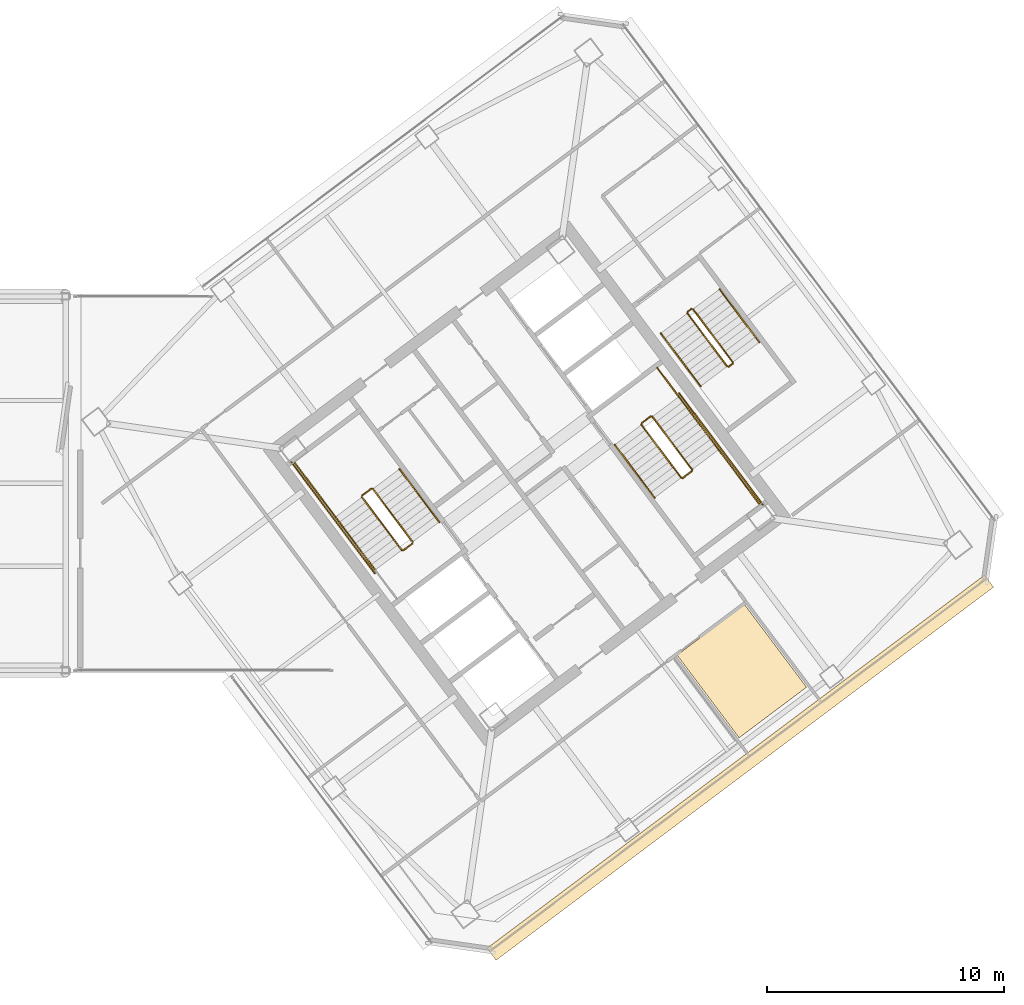
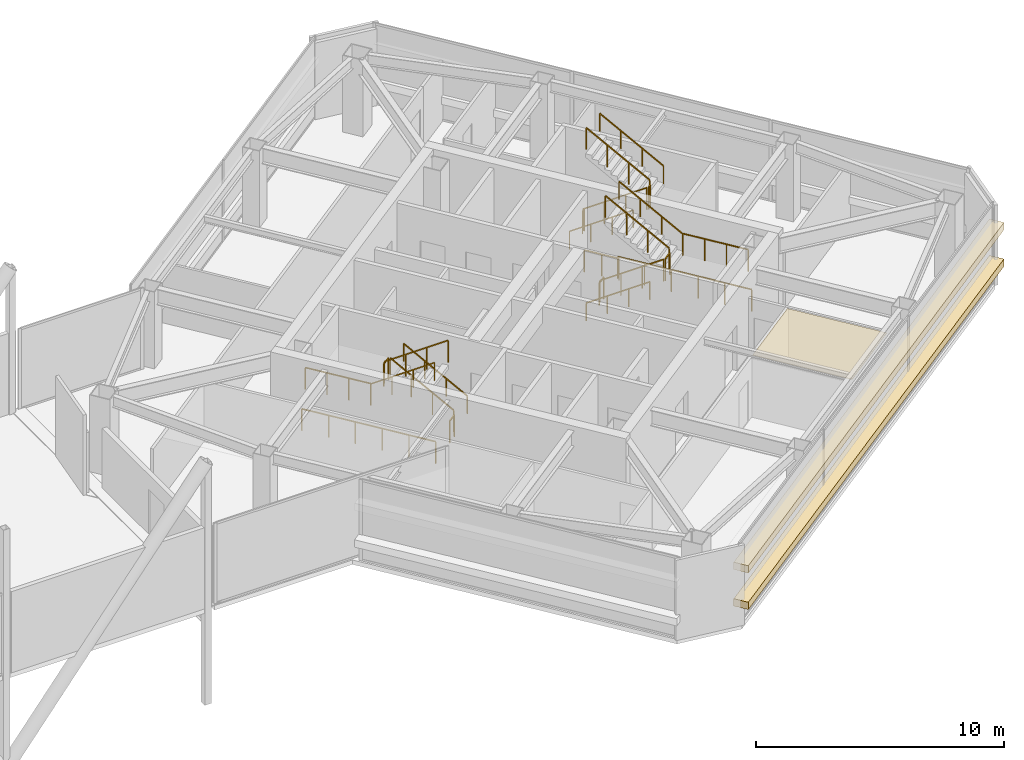
# One storey, part 51 of 53: 23 railings, 3 coverings.
"""IFC4 building model written with IfcOpenShell, lengths in metres."""

from ifc_helpers import new_model, si_unit, direction, frame, origin, origin_2d, place, context, subcontext, project, spatial, polyline, rectangle, outline, extrude, material, layer, layer_set, type_object, element, save


model = new_model("IFC4")

# Units and contexts
model_context = context("Model", 3, precision=1e-05, world=origin(), true_north=direction((0.0, 1.0)))
body_context = subcontext(model_context, "Body", "Model", "MODEL_VIEW")
ifc_project = project(units=[si_unit("LENGTHUNIT", "METRE"), si_unit("AREAUNIT", "SQUARE_METRE"), si_unit("VOLUMEUNIT", "CUBIC_METRE"), si_unit("PLANEANGLEUNIT", "RADIAN"), si_unit("MASSUNIT", "GRAM", prefix="KILO")], contexts=[model_context])

# Site, building, storey
site_placement = place(None, origin())
site = spatial("IfcSite", under=ifc_project, at=site_placement, CompositionType="ELEMENT")
building_placement = place(site_placement, origin())
building = spatial("IfcBuilding", under=site, at=building_placement, Name="Tashvorn Skyway Center", CompositionType="ELEMENT")
storey_placement = place(building_placement, frame((0.0, 0.0, 255.39990234375)))
storey = spatial("IfcBuildingStorey", under=building, at=storey_placement, Name="L69", CompositionType="ELEMENT", Elevation=255.39990234375)

# Coverings
ifc_material_1 = material(Name="Mineral-fibre acoustic ceiling tile on suspended grid")
ifc_layer_1 = layer(ifc_material_1, 0.02001953125)
ifc_layer_set_1 = layer_set([ifc_layer_1], Name="Mineral-fibre acoustic ceiling tile on suspended grid")
covering_type_1 = type_object("IfcCoveringType", Name="COV-CEIL-20", PredefinedType="CEILING", material=ifc_layer_set_1)
covering_placement = place(storey_placement, frame((0.0, 0.0, 2.951171875)))
element("IfcCovering", 1, at=covering_placement, inside=storey, type_object=covering_type_1, Name="Tower 2 L69 Boardroom Acoustic Ceiling", PredefinedType="CEILING", context=body_context, shape_type="SweptSolid", body=[
    extrude(outline(polyline([(120.342041015625, 24.743896484375), (123.18994140625, 26.8798828125), (125.81201171875, 23.384033203125), (122.964111328125, 21.248046875), (120.342041015625, 24.743896484375)])), origin(), (0.0, 0.0, 1.0), 0.02001953125),
])
ifc_material_2 = material(Name="Perforated ceramic-coated bronze aluminium solar screen", Category="aluminium")
ifc_layer_2 = layer(ifc_material_2, 0.85009765625)
ifc_layer_set_2 = layer_set([ifc_layer_2], Name="Perforated ceramic-coated bronze aluminium solar screen")
covering_type_2 = type_object("IfcCoveringType", Name="COV-SOLAR-BAND", PredefinedType="CLADDING", material=ifc_layer_set_2)
for number, where, z_axis, x_axis, name in (
    (2, (123.011962890625, 19.98388671875, 0.919921875), (0.0, 0.0, 1.0), (-0.799999996291, -0.600000004945, 0.0), "L69 Perforated Ceramic-Metal Solar Screen Louvre Band South 1"),
    (3, (123.011962890625, 19.98388671875, 2.72021484375), (0.0, 0.0, 1.0), (-0.799999996291, -0.600000004945, 0.0), "L69 Perforated Ceramic-Metal Solar Screen Louvre Band South 2"),
):
    element("IfcCovering", number, at=place(storey_placement, frame(where, z_axis=z_axis, x_axis=x_axis)), inside=storey, type_object=covering_type_2, Name=name, PredefinedType="CLADDING", context=body_context, shape_type="SweptSolid", body=[
        extrude(rectangle(XDim=26.280029296875, YDim=0.639892578125, at=origin_2d()), origin(), (0.0, 0.0, 1.0), 0.360107421875),
    ])

# Railings
ifc_material_3 = material(Name="Brushed stainless steel 316", Category="steel")
railing_type_1 = type_object("IfcRailingType", Name="RAIL-HAND-920", PredefinedType="HANDRAIL", material=ifc_material_3)
railing_1_placement = place(storey_placement, frame((110.2880859375, 30.365966796875, 0.181884765625)))
element("IfcRailing", 4, at=railing_1_placement, inside=storey, type_object=railing_type_1, Name="L69 ST-T2-1 stair handrail 1", PredefinedType="HANDRAIL", context=body_context, shape_type="SweptSolid", body=[
    extrude(rectangle(XDim=0.048095703125, YDim=0.048095703125, at=origin_2d()), frame((0.0, 0.0, 0.8759765625), z_axis=(-0.503261200553, 0.670941806899, 0.544578052967), x_axis=(-0.799968610491, -0.600041850398, 0.0)), (0.0, 0.0, 1.0), 3.338623046875),
    extrude(rectangle(XDim=0.0419921875, YDim=0.0419921875, at=origin_2d()), origin(), (0.0, 0.0, 1.0), 0.851806640625),
    extrude(rectangle(XDim=0.0419921875, YDim=0.0419921875, at=origin_2d()), frame((-0.56005859375, 0.74658203125, 0.60595703125)), (0.0, 0.0, 1.0), 0.851806640625),
    extrude(rectangle(XDim=0.0419921875, YDim=0.0419921875, at=origin_2d()), frame((-1.1201171875, 1.493408203125, 1.212158203125)), (0.0, 0.0, 1.0), 0.851806640625),
    extrude(rectangle(XDim=0.0419921875, YDim=0.0419921875, at=origin_2d()), frame((-1.68017578125, 2.239990234375, 1.818115234375)), (0.0, 0.0, 1.0), 0.851806640625),
])
railing_2_placement = place(storey_placement, frame((105.904052734375, 30.577880859375, 2.181884765625)))
element("IfcRailing", 5, at=railing_2_placement, inside=storey, type_object=railing_type_1, Name="L69 ST-T2-1 stair handrail 2", PredefinedType="HANDRAIL", context=body_context, shape_type="SweptSolid", body=[
    extrude(rectangle(XDim=0.048095703125, YDim=0.048095703125, at=origin_2d()), frame((0.0, 0.0, 0.8759765625), z_axis=(0.50320659142, -0.670966498514, 0.544598094216), x_axis=(0.80001046323, 0.599986048773, 0.0)), (0.0, 0.0, 1.0), 3.33837890625),
    extrude(rectangle(XDim=0.0419921875, YDim=0.0419921875, at=origin_2d()), origin(), (0.0, 0.0, 1.0), 0.851806640625),
    extrude(rectangle(XDim=0.0419921875, YDim=0.0419921875, at=origin_2d()), frame((0.56005859375, -0.74658203125, 0.60595703125)), (0.0, 0.0, 1.0), 0.851806640625),
    extrude(rectangle(XDim=0.0419921875, YDim=0.0419921875, at=origin_2d()), frame((1.119873046875, -1.493408203125, 1.212158203125)), (0.0, 0.0, 1.0), 0.851806640625),
    extrude(rectangle(XDim=0.0419921875, YDim=0.0419921875, at=origin_2d()), frame((1.679931640625, -2.239990234375, 1.818115234375)), (0.0, 0.0, 1.0), 0.851806640625),
])
railing_3_placement = place(storey_placement, frame((117.7119140625, 33.634033203125, 0.181884765625)))
element("IfcRailing", 6, at=railing_3_placement, inside=storey, type_object=railing_type_1, Name="L69 ST-T2-2 stair handrail 1", PredefinedType="HANDRAIL", context=body_context, shape_type="SweptSolid", body=[
    extrude(rectangle(XDim=0.048095703125, YDim=0.048095703125, at=origin_2d()), frame((0.0, 0.0, 0.8759765625), z_axis=(0.503261200553, -0.670941806899, 0.544578052967), x_axis=(0.799968610491, 0.600041850398, 0.0)), (0.0, 0.0, 1.0), 3.338623046875),
    extrude(rectangle(XDim=0.0419921875, YDim=0.0419921875, at=origin_2d()), origin(), (0.0, 0.0, 1.0), 0.851806640625),
    extrude(rectangle(XDim=0.0419921875, YDim=0.0419921875, at=origin_2d()), frame((0.56005859375, -0.74658203125, 0.60595703125)), (0.0, 0.0, 1.0), 0.851806640625),
    extrude(rectangle(XDim=0.0419921875, YDim=0.0419921875, at=origin_2d()), frame((1.1201171875, -1.493408203125, 1.212158203125)), (0.0, 0.0, 1.0), 0.851806640625),
    extrude(rectangle(XDim=0.0419921875, YDim=0.0419921875, at=origin_2d()), frame((1.68017578125, -2.239990234375, 1.818115234375)), (0.0, 0.0, 1.0), 0.851806640625),
])
railing_4_placement = place(storey_placement, frame((122.095947265625, 33.422119140625, 2.181884765625)))
element("IfcRailing", 7, at=railing_4_placement, inside=storey, type_object=railing_type_1, Name="L69 ST-T2-2 stair handrail 2", PredefinedType="HANDRAIL", context=body_context, shape_type="SweptSolid", body=[
    extrude(rectangle(XDim=0.048095703125, YDim=0.048095703125, at=origin_2d()), frame((0.0, 0.0, 0.8759765625), z_axis=(-0.50320659142, 0.670966498514, 0.544598094216), x_axis=(-0.80001046323, -0.599986048773, 0.0)), (0.0, 0.0, 1.0), 3.33837890625),
    extrude(rectangle(XDim=0.0419921875, YDim=0.0419921875, at=origin_2d()), origin(), (0.0, 0.0, 1.0), 0.851806640625),
    extrude(rectangle(XDim=0.0419921875, YDim=0.0419921875, at=origin_2d()), frame((-0.56005859375, 0.74658203125, 0.60595703125)), (0.0, 0.0, 1.0), 0.851806640625),
    extrude(rectangle(XDim=0.0419921875, YDim=0.0419921875, at=origin_2d()), frame((-1.119873046875, 1.493408203125, 1.212158203125)), (0.0, 0.0, 1.0), 0.851806640625),
    extrude(rectangle(XDim=0.0419921875, YDim=0.0419921875, at=origin_2d()), frame((-1.679931640625, 2.239990234375, 1.818115234375)), (0.0, 0.0, 1.0), 0.851806640625),
])
railing_5_placement = place(storey_placement, frame((119.656005859375, 38.342041015625, 0.181884765625)))
element("IfcRailing", 8, at=railing_5_placement, inside=storey, type_object=railing_type_1, Name="L69 ST-T2-3 stair handrail 1", PredefinedType="HANDRAIL", context=body_context, shape_type="SweptSolid", body=[
    extrude(rectangle(XDim=0.048095703125, YDim=0.048095703125, at=origin_2d()), frame((0.0, 0.0, 0.8759765625), z_axis=(0.50320659142, -0.670966498514, 0.544598094216), x_axis=(0.80001046323, 0.599986048773, 0.0)), (0.0, 0.0, 1.0), 3.33837890625),
    extrude(rectangle(XDim=0.0419921875, YDim=0.0419921875, at=origin_2d()), origin(), (0.0, 0.0, 1.0), 0.851806640625),
    extrude(rectangle(XDim=0.0419921875, YDim=0.0419921875, at=origin_2d()), frame((0.56005859375, -0.74658203125, 0.60595703125)), (0.0, 0.0, 1.0), 0.851806640625),
    extrude(rectangle(XDim=0.0419921875, YDim=0.0419921875, at=origin_2d()), frame((1.119873046875, -1.493408203125, 1.212158203125)), (0.0, 0.0, 1.0), 0.851806640625),
    extrude(rectangle(XDim=0.0419921875, YDim=0.0419921875, at=origin_2d()), frame((1.679931640625, -2.239990234375, 1.818115234375)), (0.0, 0.0, 1.0), 0.851806640625),
])
railing_6_placement = place(storey_placement, frame((123.81591796875, 37.9619140625, 2.181884765625)))
element("IfcRailing", 9, at=railing_6_placement, inside=storey, type_object=railing_type_1, Name="L69 ST-T2-3 stair handrail 2", PredefinedType="HANDRAIL", context=body_context, shape_type="SweptSolid", body=[
    extrude(rectangle(XDim=0.048095703125, YDim=0.048095703125, at=origin_2d()), frame((0.0, 0.0, 0.8759765625), z_axis=(-0.50320659142, 0.670966498514, 0.544598094216), x_axis=(-0.80001046323, -0.599986048773, 0.0)), (0.0, 0.0, 1.0), 3.33837890625),
    extrude(rectangle(XDim=0.0419921875, YDim=0.0419921875, at=origin_2d()), origin(), (0.0, 0.0, 1.0), 0.851806640625),
    extrude(rectangle(XDim=0.0419921875, YDim=0.0419921875, at=origin_2d()), frame((-0.56005859375, 0.74658203125, 0.60595703125)), (0.0, 0.0, 1.0), 0.851806640625),
    extrude(rectangle(XDim=0.0419921875, YDim=0.0419921875, at=origin_2d()), frame((-1.119873046875, 1.493408203125, 1.212158203125)), (0.0, 0.0, 1.0), 0.851806640625),
    extrude(rectangle(XDim=0.0419921875, YDim=0.0419921875, at=origin_2d()), frame((-1.679931640625, 2.239990234375, 1.818115234375)), (0.0, 0.0, 1.0), 0.851806640625),
])
ifc_material_4 = material(Name="Painted galvanized steel S355", Category="steel")
railing_type_2 = type_object("IfcRailingType", Name="RAIL-STGUARD-1100", PredefinedType="GUARDRAIL", material=ifc_material_4)
railing_7_placement = place(storey_placement, frame((109.16796875, 29.52587890625, 0.181884765625)))
element("IfcRailing", 10, at=railing_7_placement, inside=storey, type_object=railing_type_2, Name="L69 ST-T2-1 stair guard 1", PredefinedType="GUARDRAIL", context=body_context, shape_type="SweptSolid", body=[
    extrude(rectangle(XDim=0.048095703125, YDim=0.048095703125, at=origin_2d()), frame((0.0, 0.0, 1.076171875), z_axis=(-0.503181900707, 0.671006702643, 0.544571372557), x_axis=(-0.800041848543, -0.599944197888, 0.0)), (0.0, 0.0, 1.0), 3.338623046875),
    extrude(rectangle(XDim=0.0419921875, YDim=0.0419921875, at=origin_2d()), origin(), (0.0, 0.0, 1.0), 1.052001953125),
    extrude(rectangle(XDim=0.0419921875, YDim=0.0419921875, at=origin_2d()), frame((-0.56005859375, 0.746826171875, 0.60595703125)), (0.0, 0.0, 1.0), 1.052001953125),
    extrude(rectangle(XDim=0.0419921875, YDim=0.0419921875, at=origin_2d()), frame((-1.119873046875, 1.493408203125, 1.212158203125)), (0.0, 0.0, 1.0), 1.052001953125),
    extrude(rectangle(XDim=0.0419921875, YDim=0.0419921875, at=origin_2d()), frame((-1.679931640625, 2.240234375, 1.818115234375)), (0.0, 0.0, 1.0), 1.052001953125),
])
railing_8_placement = place(storey_placement, frame((107.41796875, 31.77587890625, 2.0)))
element("IfcRailing", 11, at=railing_8_placement, inside=storey, type_object=railing_type_2, Name="L69 ST-T2-1 stair guard 2", PredefinedType="GUARDRAIL", context=body_context, shape_type="SweptSolid", body=[
    extrude(rectangle(XDim=0.048095703125, YDim=0.048095703125, at=origin_2d()), frame((0.0, 0.0, 1.076171875), z_axis=(-0.800183094277, -0.599755796664, 0.0), x_axis=(0.599755796664, -0.800183094277, 0.0)), (0.0, 0.0, 1.0), 0.47998046875),
    extrude(rectangle(XDim=0.0419921875, YDim=0.0419921875, at=origin_2d()), origin(), (0.0, 0.0, 1.0), 1.052001953125),
    extrude(rectangle(XDim=0.0419921875, YDim=0.0419921875, at=origin_2d()), frame((-0.384033203125, -0.287841796875, 0.0)), (0.0, 0.0, 1.0), 1.052001953125),
])
railing_9_placement = place(storey_placement, frame((105.904052734375, 30.577880859375, 2.0)))
element("IfcRailing", 12, at=railing_9_placement, inside=storey, type_object=railing_type_2, Name="L69 ST-T2-1 stair guard 3", PredefinedType="GUARDRAIL", context=body_context, shape_type="SweptSolid", body=[
    extrude(rectangle(XDim=0.048095703125, YDim=0.048095703125, at=origin_2d()), frame((0.0, 0.0, 1.076171875), z_axis=(-0.599972874575, 0.800020343351, 0.0), x_axis=(-0.800020343351, -0.599972874575, 0.0)), (0.0, 0.0, 1.0), 2.880126953125),
    extrude(rectangle(XDim=0.0419921875, YDim=0.0419921875, at=origin_2d()), origin(), (0.0, 0.0, 1.0), 1.052001953125),
    extrude(rectangle(XDim=0.0419921875, YDim=0.0419921875, at=origin_2d()), frame((-0.575927734375, 0.76806640625, 0.0)), (0.0, 0.0, 1.0), 1.052001953125),
    extrude(rectangle(XDim=0.0419921875, YDim=0.0419921875, at=origin_2d()), frame((-1.152099609375, 1.5361328125, 0.0)), (0.0, 0.0, 1.0), 1.052001953125),
    extrude(rectangle(XDim=0.0419921875, YDim=0.0419921875, at=origin_2d()), frame((-1.72802734375, 2.30419921875, 0.0)), (0.0, 0.0, 1.0), 1.052001953125),
])
railing_10_placement = place(storey_placement, frame((107.02392578125, 31.41796875, 2.181884765625)))
element("IfcRailing", 13, at=railing_10_placement, inside=storey, type_object=railing_type_2, Name="L69 ST-T2-1 stair guard 4", PredefinedType="GUARDRAIL", context=body_context, shape_type="SweptSolid", body=[
    extrude(rectangle(XDim=0.048095703125, YDim=0.048095703125, at=origin_2d()), frame((0.0, 0.0, 1.076171875), z_axis=(0.503261200553, -0.670941806899, 0.544578052967), x_axis=(0.799968610491, 0.600041850398, 0.0)), (0.0, 0.0, 1.0), 3.338623046875),
    extrude(rectangle(XDim=0.0419921875, YDim=0.0419921875, at=origin_2d()), origin(), (0.0, 0.0, 1.0), 1.052001953125),
    extrude(rectangle(XDim=0.0419921875, YDim=0.0419921875, at=origin_2d()), frame((0.56005859375, -0.74658203125, 0.60595703125)), (0.0, 0.0, 1.0), 1.052001953125),
    extrude(rectangle(XDim=0.0419921875, YDim=0.0419921875, at=origin_2d()), frame((1.1201171875, -1.493408203125, 1.212158203125)), (0.0, 0.0, 1.0), 1.052001953125),
    extrude(rectangle(XDim=0.0419921875, YDim=0.0419921875, at=origin_2d()), frame((1.68017578125, -2.239990234375, 1.818115234375)), (0.0, 0.0, 1.0), 1.052001953125),
])
railing_11_placement = place(storey_placement, frame((109.157958984375, 29.4560546875, 0.0)))
element("IfcRailing", 14, at=railing_11_placement, inside=storey, type_object=railing_type_2, Name="L69 ST-T2-1 stair guard 5", PredefinedType="GUARDRAIL", context=body_context, shape_type="SweptSolid", body=[
    extrude(rectangle(XDim=0.048095703125, YDim=0.048095703125, at=origin_2d()), frame((0.0, 0.0, 1.076171875), z_axis=(-0.799938970639, -0.600081363861, 0.0), x_axis=(0.600081363861, -0.799938970639, 0.0)), (0.0, 0.0, 1.0), 0.47998046875),
    extrude(rectangle(XDim=0.0419921875, YDim=0.0419921875, at=origin_2d()), origin(), (0.0, 0.0, 1.0), 1.052001953125),
    extrude(rectangle(XDim=0.0419921875, YDim=0.0419921875, at=origin_2d()), frame((-0.384033203125, -0.2880859375, 0.0)), (0.0, 0.0, 1.0), 1.052001953125),
])
railing_12_placement = place(storey_placement, frame((107.56396484375, 28.197998046875, 0.0)))
element("IfcRailing", 15, at=railing_12_placement, inside=storey, type_object=railing_type_2, Name="L69 ST-T2-1 stair guard 7", PredefinedType="GUARDRAIL", context=body_context, shape_type="SweptSolid", body=[
    extrude(rectangle(XDim=0.048095703125, YDim=0.048095703125, at=origin_2d()), frame((0.0, 0.0, 1.076171875), z_axis=(-0.6, 0.8, 0.0), x_axis=(-0.8, -0.6, 0.0)), (0.0, 0.0, 1.0), 5.880126953125),
    extrude(rectangle(XDim=0.0419921875, YDim=0.0419921875, at=origin_2d()), origin(), (0.0, 0.0, 1.0), 1.052001953125),
    extrude(rectangle(XDim=0.0419921875, YDim=0.0419921875, at=origin_2d()), frame((-0.70556640625, 0.94091796875, 0.0)), (0.0, 0.0, 1.0), 1.052001953125),
    extrude(rectangle(XDim=0.0419921875, YDim=0.0419921875, at=origin_2d()), frame((-1.4111328125, 1.881591796875, 0.0)), (0.0, 0.0, 1.0), 1.052001953125),
    extrude(rectangle(XDim=0.0419921875, YDim=0.0419921875, at=origin_2d()), frame((-2.116943359375, 2.822509765625, 0.0)), (0.0, 0.0, 1.0), 1.052001953125),
    extrude(rectangle(XDim=0.0419921875, YDim=0.0419921875, at=origin_2d()), frame((-2.822509765625, 3.76318359375, 0.0)), (0.0, 0.0, 1.0), 1.052001953125),
    extrude(rectangle(XDim=0.0419921875, YDim=0.0419921875, at=origin_2d()), frame((-3.528076171875, 4.7041015625, 0.0)), (0.0, 0.0, 1.0), 1.052001953125),
])
railing_13_placement = place(storey_placement, frame((118.83203125, 34.47412109375, 0.181884765625)))
element("IfcRailing", 16, at=railing_13_placement, inside=storey, type_object=railing_type_2, Name="L69 ST-T2-2 stair guard 1", PredefinedType="GUARDRAIL", context=body_context, shape_type="SweptSolid", body=[
    extrude(rectangle(XDim=0.048095703125, YDim=0.048095703125, at=origin_2d()), frame((0.0, 0.0, 1.076171875), z_axis=(0.503181900707, -0.671006702643, 0.544571372557), x_axis=(0.800041848543, 0.599944197888, 0.0)), (0.0, 0.0, 1.0), 3.338623046875),
    extrude(rectangle(XDim=0.0419921875, YDim=0.0419921875, at=origin_2d()), origin(), (0.0, 0.0, 1.0), 1.052001953125),
    extrude(rectangle(XDim=0.0419921875, YDim=0.0419921875, at=origin_2d()), frame((0.56005859375, -0.746826171875, 0.60595703125)), (0.0, 0.0, 1.0), 1.052001953125),
    extrude(rectangle(XDim=0.0419921875, YDim=0.0419921875, at=origin_2d()), frame((1.119873046875, -1.493408203125, 1.212158203125)), (0.0, 0.0, 1.0), 1.052001953125),
    extrude(rectangle(XDim=0.0419921875, YDim=0.0419921875, at=origin_2d()), frame((1.679931640625, -2.240234375, 1.818115234375)), (0.0, 0.0, 1.0), 1.052001953125),
])
railing_14_placement = place(storey_placement, frame((120.58203125, 32.22412109375, 2.0)))
element("IfcRailing", 17, at=railing_14_placement, inside=storey, type_object=railing_type_2, Name="L69 ST-T2-2 stair guard 2", PredefinedType="GUARDRAIL", context=body_context, shape_type="SweptSolid", body=[
    extrude(rectangle(XDim=0.048095703125, YDim=0.048095703125, at=origin_2d()), frame((0.0, 0.0, 1.076171875), z_axis=(0.800183094277, 0.599755796664, 0.0), x_axis=(-0.599755796664, 0.800183094277, 0.0)), (0.0, 0.0, 1.0), 0.47998046875),
    extrude(rectangle(XDim=0.0419921875, YDim=0.0419921875, at=origin_2d()), origin(), (0.0, 0.0, 1.0), 1.052001953125),
    extrude(rectangle(XDim=0.0419921875, YDim=0.0419921875, at=origin_2d()), frame((0.384033203125, 0.287841796875, 0.0)), (0.0, 0.0, 1.0), 1.052001953125),
])
railing_15_placement = place(storey_placement, frame((122.095947265625, 33.422119140625, 2.0)))
element("IfcRailing", 18, at=railing_15_placement, inside=storey, type_object=railing_type_2, Name="L69 ST-T2-2 stair guard 3", PredefinedType="GUARDRAIL", context=body_context, shape_type="SweptSolid", body=[
    extrude(rectangle(XDim=0.048095703125, YDim=0.048095703125, at=origin_2d()), frame((0.0, 0.0, 1.076171875), z_axis=(0.599972874575, -0.800020343351, 0.0), x_axis=(0.800020343351, 0.599972874575, 0.0)), (0.0, 0.0, 1.0), 2.880126953125),
    extrude(rectangle(XDim=0.0419921875, YDim=0.0419921875, at=origin_2d()), origin(), (0.0, 0.0, 1.0), 1.052001953125),
    extrude(rectangle(XDim=0.0419921875, YDim=0.0419921875, at=origin_2d()), frame((0.575927734375, -0.76806640625, 0.0)), (0.0, 0.0, 1.0), 1.052001953125),
    extrude(rectangle(XDim=0.0419921875, YDim=0.0419921875, at=origin_2d()), frame((1.152099609375, -1.5361328125, 0.0)), (0.0, 0.0, 1.0), 1.052001953125),
    extrude(rectangle(XDim=0.0419921875, YDim=0.0419921875, at=origin_2d()), frame((1.72802734375, -2.30419921875, 0.0)), (0.0, 0.0, 1.0), 1.052001953125),
])
railing_16_placement = place(storey_placement, frame((120.97607421875, 32.58203125, 2.181884765625)))
element("IfcRailing", 19, at=railing_16_placement, inside=storey, type_object=railing_type_2, Name="L69 ST-T2-2 stair guard 4", PredefinedType="GUARDRAIL", context=body_context, shape_type="SweptSolid", body=[
    extrude(rectangle(XDim=0.048095703125, YDim=0.048095703125, at=origin_2d()), frame((0.0, 0.0, 1.076171875), z_axis=(-0.503261200553, 0.670941806899, 0.544578052967), x_axis=(-0.799968610491, -0.600041850398, 0.0)), (0.0, 0.0, 1.0), 3.338623046875),
    extrude(rectangle(XDim=0.0419921875, YDim=0.0419921875, at=origin_2d()), origin(), (0.0, 0.0, 1.0), 1.052001953125),
    extrude(rectangle(XDim=0.0419921875, YDim=0.0419921875, at=origin_2d()), frame((-0.56005859375, 0.74658203125, 0.60595703125)), (0.0, 0.0, 1.0), 1.052001953125),
    extrude(rectangle(XDim=0.0419921875, YDim=0.0419921875, at=origin_2d()), frame((-1.1201171875, 1.493408203125, 1.212158203125)), (0.0, 0.0, 1.0), 1.052001953125),
    extrude(rectangle(XDim=0.0419921875, YDim=0.0419921875, at=origin_2d()), frame((-1.68017578125, 2.239990234375, 1.818115234375)), (0.0, 0.0, 1.0), 1.052001953125),
])
railing_17_placement = place(storey_placement, frame((118.842041015625, 34.5439453125, 0.0)))
element("IfcRailing", 20, at=railing_17_placement, inside=storey, type_object=railing_type_2, Name="L69 ST-T2-2 stair guard 5", PredefinedType="GUARDRAIL", context=body_context, shape_type="SweptSolid", body=[
    extrude(rectangle(XDim=0.048095703125, YDim=0.048095703125, at=origin_2d()), frame((0.0, 0.0, 1.076171875), z_axis=(0.799938970639, 0.600081363861, 0.0), x_axis=(-0.600081363861, 0.799938970639, 0.0)), (0.0, 0.0, 1.0), 0.47998046875),
    extrude(rectangle(XDim=0.0419921875, YDim=0.0419921875, at=origin_2d()), origin(), (0.0, 0.0, 1.0), 1.052001953125),
    extrude(rectangle(XDim=0.0419921875, YDim=0.0419921875, at=origin_2d()), frame((0.384033203125, 0.2880859375, 0.0)), (0.0, 0.0, 1.0), 1.052001953125),
])
railing_18_placement = place(storey_placement, frame((119.50390625, 36.8779296875, 0.0)))
element("IfcRailing", 21, at=railing_18_placement, inside=storey, type_object=railing_type_2, Name="L69 ST-T2-2 stair guard 6", PredefinedType="GUARDRAIL", context=body_context, shape_type="SweptSolid", body=[
    extrude(rectangle(XDim=0.048095703125, YDim=0.048095703125, at=origin_2d()), frame((0.0, 0.0, 1.076171875), z_axis=(0.600102796382, -0.799922892393, 0.0), x_axis=(0.799922892393, 0.600102796382, 0.0)), (0.0, 0.0, 1.0), 1.52001953125),
    extrude(rectangle(XDim=0.0419921875, YDim=0.0419921875, at=origin_2d()), origin(), (0.0, 0.0, 1.0), 1.052001953125),
    extrude(rectangle(XDim=0.0419921875, YDim=0.0419921875, at=origin_2d()), frame((0.4560546875, -0.60791015625, 0.0)), (0.0, 0.0, 1.0), 1.052001953125),
    extrude(rectangle(XDim=0.0419921875, YDim=0.0419921875, at=origin_2d()), frame((0.912109375, -1.2158203125, 0.0)), (0.0, 0.0, 1.0), 1.052001953125),
])
railing_19_placement = place(storey_placement, frame((120.43603515625, 35.802001953125, 0.0)))
element("IfcRailing", 22, at=railing_19_placement, inside=storey, type_object=railing_type_2, Name="L69 ST-T2-2 stair guard 7", PredefinedType="GUARDRAIL", context=body_context, shape_type="SweptSolid", body=[
    extrude(rectangle(XDim=0.048095703125, YDim=0.048095703125, at=origin_2d()), frame((0.0, 0.0, 1.076171875), z_axis=(0.6, -0.8, 0.0), x_axis=(0.8, 0.6, 0.0)), (0.0, 0.0, 1.0), 5.880126953125),
    extrude(rectangle(XDim=0.0419921875, YDim=0.0419921875, at=origin_2d()), origin(), (0.0, 0.0, 1.0), 1.052001953125),
    extrude(rectangle(XDim=0.0419921875, YDim=0.0419921875, at=origin_2d()), frame((0.70556640625, -0.94091796875, 0.0)), (0.0, 0.0, 1.0), 1.052001953125),
    extrude(rectangle(XDim=0.0419921875, YDim=0.0419921875, at=origin_2d()), frame((1.4111328125, -1.881591796875, 0.0)), (0.0, 0.0, 1.0), 1.052001953125),
    extrude(rectangle(XDim=0.0419921875, YDim=0.0419921875, at=origin_2d()), frame((2.116943359375, -2.822509765625, 0.0)), (0.0, 0.0, 1.0), 1.052001953125),
    extrude(rectangle(XDim=0.0419921875, YDim=0.0419921875, at=origin_2d()), frame((2.822509765625, -3.76318359375, 0.0)), (0.0, 0.0, 1.0), 1.052001953125),
    extrude(rectangle(XDim=0.0419921875, YDim=0.0419921875, at=origin_2d()), frame((3.528076171875, -4.7041015625, 0.0)), (0.0, 0.0, 1.0), 1.052001953125),
])
railing_20_placement = place(storey_placement, frame((120.77587890625, 39.181884765625, 0.181884765625)))
element("IfcRailing", 23, at=railing_20_placement, inside=storey, type_object=railing_type_2, Name="L69 ST-T2-3 stair guard 1", PredefinedType="GUARDRAIL", context=body_context, shape_type="SweptSolid", body=[
    extrude(rectangle(XDim=0.048095703125, YDim=0.048095703125, at=origin_2d()), frame((0.0, 0.0, 1.076171875), z_axis=(0.503261200553, -0.670941806899, 0.544578052967), x_axis=(0.799968610491, 0.600041850398, 0.0)), (0.0, 0.0, 1.0), 3.338623046875),
    extrude(rectangle(XDim=0.0419921875, YDim=0.0419921875, at=origin_2d()), origin(), (0.0, 0.0, 1.0), 1.052001953125),
    extrude(rectangle(XDim=0.0419921875, YDim=0.0419921875, at=origin_2d()), frame((0.56005859375, -0.74658203125, 0.60595703125)), (0.0, 0.0, 1.0), 1.052001953125),
    extrude(rectangle(XDim=0.0419921875, YDim=0.0419921875, at=origin_2d()), frame((1.1201171875, -1.493408203125, 1.212158203125)), (0.0, 0.0, 1.0), 1.052001953125),
    extrude(rectangle(XDim=0.0419921875, YDim=0.0419921875, at=origin_2d()), frame((1.68017578125, -2.239990234375, 1.818115234375)), (0.0, 0.0, 1.0), 1.052001953125),
])
railing_21_placement = place(storey_placement, frame((122.52587890625, 36.931884765625, 2.0)))
element("IfcRailing", 24, at=railing_21_placement, inside=storey, type_object=railing_type_2, Name="L69 ST-T2-3 stair guard 2", PredefinedType="GUARDRAIL", context=body_context, shape_type="SweptSolid", body=[
    extrude(rectangle(XDim=0.048095703125, YDim=0.048095703125, at=origin_2d()), frame((0.0, 0.0, 1.076171875), z_axis=(0.8, 0.6, 0.0), x_axis=(-0.6, 0.8, 0.0)), (0.0, 0.0, 1.0), 0.2001953125),
    extrude(rectangle(XDim=0.0419921875, YDim=0.0419921875, at=origin_2d()), origin(), (0.0, 0.0, 1.0), 1.052001953125),
    extrude(rectangle(XDim=0.0419921875, YDim=0.0419921875, at=origin_2d()), frame((0.16015625, 0.1201171875, 0.0)), (0.0, 0.0, 1.0), 1.052001953125),
])
railing_22_placement = place(storey_placement, frame((122.696044921875, 37.1220703125, 2.181884765625)))
element("IfcRailing", 25, at=railing_22_placement, inside=storey, type_object=railing_type_2, Name="L69 ST-T2-3 stair guard 3", PredefinedType="GUARDRAIL", context=body_context, shape_type="SweptSolid", body=[
    extrude(rectangle(XDim=0.048095703125, YDim=0.048095703125, at=origin_2d()), frame((0.0, 0.0, 1.076171875), z_axis=(-0.50320659142, 0.670966498514, 0.544598094216), x_axis=(-0.80001046323, -0.599986048773, 0.0)), (0.0, 0.0, 1.0), 3.33837890625),
    extrude(rectangle(XDim=0.0419921875, YDim=0.0419921875, at=origin_2d()), origin(), (0.0, 0.0, 1.0), 1.052001953125),
    extrude(rectangle(XDim=0.0419921875, YDim=0.0419921875, at=origin_2d()), frame((-0.56005859375, 0.74658203125, 0.60595703125)), (0.0, 0.0, 1.0), 1.052001953125),
    extrude(rectangle(XDim=0.0419921875, YDim=0.0419921875, at=origin_2d()), frame((-1.119873046875, 1.493408203125, 1.212158203125)), (0.0, 0.0, 1.0), 1.052001953125),
    extrude(rectangle(XDim=0.0419921875, YDim=0.0419921875, at=origin_2d()), frame((-1.679931640625, 2.239990234375, 1.818115234375)), (0.0, 0.0, 1.0), 1.052001953125),
])
railing_23_placement = place(storey_placement, frame((120.785888671875, 39.251953125, 0.0)))
element("IfcRailing", 26, at=railing_23_placement, inside=storey, type_object=railing_type_2, Name="L69 ST-T2-3 stair guard 4", PredefinedType="GUARDRAIL", context=body_context, shape_type="SweptSolid", body=[
    extrude(rectangle(XDim=0.048095703125, YDim=0.048095703125, at=origin_2d()), frame((0.0, 0.0, 1.076171875), z_axis=(0.8, 0.6, 0.0), x_axis=(-0.6, 0.8, 0.0)), (0.0, 0.0, 1.0), 0.2001953125),
    extrude(rectangle(XDim=0.0419921875, YDim=0.0419921875, at=origin_2d()), origin(), (0.0, 0.0, 1.0), 1.052001953125),
    extrude(rectangle(XDim=0.0419921875, YDim=0.0419921875, at=origin_2d()), frame((0.16015625, 0.1201171875, 0.0)), (0.0, 0.0, 1.0), 1.052001953125),
])

save(model, "model.ifc")
